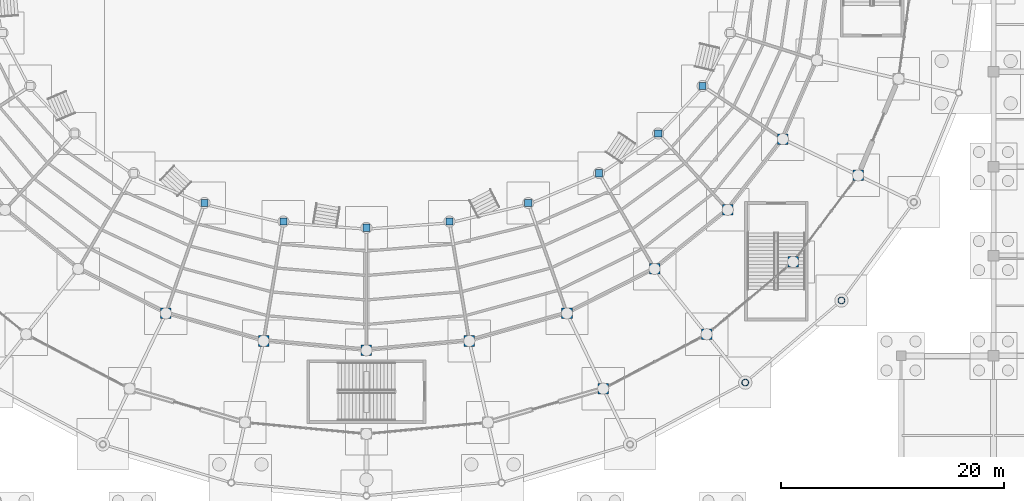
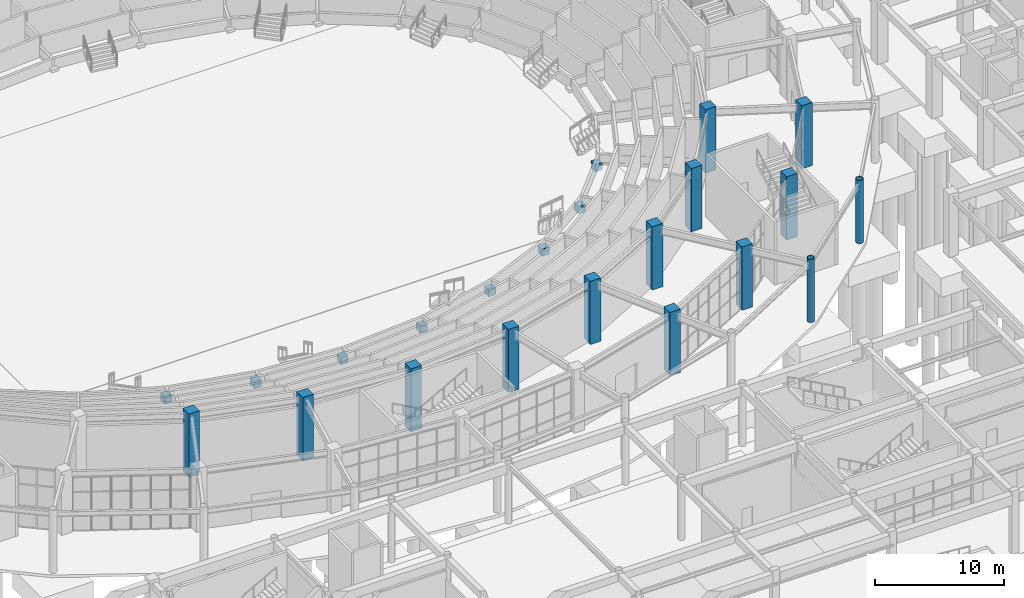
# One storey, part 13 of 121: 22 columns.
"""IFC4 building model written with IfcOpenShell, lengths in metres."""

import ifcopenshell
import ifcopenshell.guid

model = None  # the IFC model being written
_history = None  # IfcOwnerHistory: only IFC2X3 demands one
_inside = {}  # id of a spatial element -> (the spatial element, [elements in it])
_under = {}  # id of a project, library or spatial element -> (it, [spatial elements below it])
_declared = {}  # id of a project -> (the project, [libraries it declares])
_typed = {}  # id of a type object -> (the type object, [elements of that type])
_made_of = {}  # id of a material, layer set ... -> (it, [elements and type objects made of it])


def new_model(schema):
    """Start an empty IFC model of exactly this schema.

    Asked for "IFC4X3", IfcOpenShell would pick the latest addendum, in which some entities
    have other attributes; the version numbers below select the first issue.
    IFC2X3 requires an IfcOwnerHistory on every rooted entity: one is made here for all.
    """
    global model, _history
    if schema == "IFC4X3":
        model = ifcopenshell.file(schema_version=(4, 3, 0, 0))
    else:
        model = ifcopenshell.file(schema=schema)
    _inside.clear()
    _under.clear()
    _declared.clear()
    _typed.clear()
    _made_of.clear()
    _history = None
    if model.schema == "IFC2X3":
        org = make("IfcOrganization", Name="unknown")
        user = make(
            "IfcPersonAndOrganization",
            ThePerson=make("IfcPerson", FamilyName="unknown"),
            TheOrganization=org,
        )
        app = make(
            "IfcApplication",
            ApplicationDeveloper=org,
            Version="unknown",
            ApplicationFullName="unknown",
            ApplicationIdentifier="unknown",
        )
        _history = make(
            "IfcOwnerHistory",
            OwningUser=user,
            OwningApplication=app,
            ChangeAction="ADDED",
            CreationDate=0,
        )
    return model


def make(cls, **values):
    """One entity of the class cls with the attributes given. An attribute that is None is left unset."""
    return model.create_entity(
        cls, **{name: value for name, value in values.items() if value is not None}
    )


def rooted(cls, **values):
    """An entity with a GlobalId (a new one), such as an element, a storey or a relation."""
    return make(cls, GlobalId=ifcopenshell.guid.new(), OwnerHistory=_history, **values)


def si_unit(unit_type, name, prefix=None):
    """IfcSIUnit, for example si_unit("LENGTHUNIT", "METRE", prefix="MILLI")."""
    return make("IfcSIUnit", UnitType=unit_type, Prefix=prefix, Name=name)


def assignment(units):
    """IfcUnitAssignment: the units of a project."""
    return None if units is None else make("IfcUnitAssignment", Units=units)


def point(xyz):
    """IfcCartesianPoint."""
    return None if xyz is None else make("IfcCartesianPoint", Coordinates=xyz)


def direction(xyz):
    """IfcDirection."""
    return None if xyz is None else make("IfcDirection", DirectionRatios=xyz)


def frame(location, z_axis=None, x_axis=None):
    """IfcAxis2Placement3D, a coordinate frame: its origin and axes. An axis left out is left unset."""
    return make(
        "IfcAxis2Placement3D",
        Location=point(location),
        Axis=direction(z_axis),
        RefDirection=direction(x_axis),
    )


def frame_2d(location, x_axis=None):
    """IfcAxis2Placement2D, a coordinate frame in the plane: its origin and x axis."""
    return make(
        "IfcAxis2Placement2D", Location=point(location), RefDirection=direction(x_axis)
    )


def origin():
    """The frame at (0, 0, 0) with its axes left unset."""
    return frame((0.0, 0.0, 0.0))


def origin_2d():
    """The frame at (0, 0) in the plane with its x axis left unset."""
    return frame_2d((0.0, 0.0))


def place(relative_to, where):
    """IfcLocalPlacement: puts the frame where relative to a parent placement (None: the world)."""
    return make(
        "IfcLocalPlacement", PlacementRelTo=relative_to, RelativePlacement=where
    )


def context(
    kind, dimensions, precision=None, world=None, true_north=None, identifier=None
):
    """IfcGeometricRepresentationContext, for example the 3D "Model" context."""
    return make(
        "IfcGeometricRepresentationContext",
        ContextIdentifier=identifier,
        ContextType=kind,
        CoordinateSpaceDimension=dimensions,
        Precision=precision,
        WorldCoordinateSystem=world,
        TrueNorth=true_north,
    )


def subcontext(parent, identifier, kind, view, scale=None):
    """IfcGeometricRepresentationSubContext, for example "Body" below "Model"."""
    return make(
        "IfcGeometricRepresentationSubContext",
        ContextIdentifier=identifier,
        ContextType=kind,
        ParentContext=parent,
        TargetScale=scale,
        TargetView=view,
    )


def project(units=None, contexts=None):
    """IfcProject with its units and contexts."""
    return rooted(
        "IfcProject",
        Name="project",
        RepresentationContexts=contexts,
        UnitsInContext=assignment(units),
    )


def spatial(cls, under=None, at=None, **own):
    """A site, building, storey or space (cls), placed at a placement, below another one or the project."""
    s = rooted(cls, ObjectPlacement=at, **own)
    if under is not None:
        _under.setdefault(under.id(), (under, []))[1].append(s)
    return s


def profile(cls, at=None, kind="AREA", **sizes):
    """A parametric profile (cls). Its sizes go by their IFC names, for example OverallWidth=200.0."""
    return make(cls, ProfileType=kind, Position=at, **sizes)


def rectangle(**sizes):
    """IfcRectangleProfileDef."""
    return profile("IfcRectangleProfileDef", **sizes)


def hollow_circle(**sizes):
    """IfcCircleHollowProfileDef."""
    return profile("IfcCircleHollowProfileDef", **sizes)


def extrude(swept, where, along, depth):
    """IfcExtrudedAreaSolid: the profile swept, set in the frame where, extruded along a direction by depth."""
    return make(
        "IfcExtrudedAreaSolid",
        SweptArea=swept,
        Position=where,
        ExtrudedDirection=direction(along),
        Depth=depth,
    )


def shape(context_of_items, identifier, shape_type, items):
    """IfcShapeRepresentation: the items that make up one representation, for example the "Body"."""
    return make(
        "IfcShapeRepresentation",
        ContextOfItems=context_of_items,
        RepresentationIdentifier=identifier,
        RepresentationType=shape_type,
        Items=items,
    )


def material(Name=None, Category=None):
    """IfcMaterial."""
    return make("IfcMaterial", Name=Name, Category=Category)


def material_profile(
    of_material, cross_section, Name=None, Category=None, Priority=None
):
    """IfcMaterialProfile: a cross section and its material."""
    return make(
        "IfcMaterialProfile",
        Name=Name,
        Material=of_material,
        Profile=cross_section,
        Priority=Priority,
        Category=Category,
    )


def profile_set(profiles, Name=None, composite=None):
    """IfcMaterialProfileSet."""
    return make(
        "IfcMaterialProfileSet",
        Name=Name,
        MaterialProfiles=profiles,
        CompositeProfile=composite,
    )


def made_of(thing, what):
    """Note that an element or type object is made of a material, layer set ...; save() writes the relation."""
    if what is not None:
        _made_of.setdefault(what.id(), (what, []))[1].append(thing)
    return thing


def type_object(cls, material=None, **own):
    """A type object (cls), such as IfcWallType, which elements share."""
    return made_of(rooted(cls, **own), material)


def element(
    cls,
    number,
    at=None,
    inside=None,
    cuts=None,
    type_object=None,
    material=None,
    context=None,
    identifier="Body",
    shape_type=None,
    held_by="IfcProductDefinitionShape",
    body=None,
    shapes=None,
    **own,
):
    """One element of the class cls, such as IfcWall. Its Tag is "e" and its number.

    at: its placement. inside: the storey or other place that contains it. cuts: it is an
    opening in that element (IfcRelVoidsElement). A single representation is given by context,
    identifier, shape_type and body (its items); several are given by shapes. held_by: the class
    of the entity that holds the representations. save() writes the other relations.
    """
    e = rooted(cls, Tag="e%d" % number, ObjectPlacement=at, **own)
    if body is not None:
        shapes = [shape(context, identifier, shape_type, body)]
    if shapes is not None:
        e.Representation = make(held_by, Representations=shapes)
    if inside is not None:
        _inside.setdefault(inside.id(), (inside, []))[1].append(e)
    if cuts is not None:
        rooted(
            "IfcRelVoidsElement", RelatingBuildingElement=cuts, RelatedOpeningElement=e
        )
    if type_object is not None:
        _typed.setdefault(type_object.id(), (type_object, []))[1].append(e)
    return made_of(e, material)


def aggregate(whole, parts):
    """IfcRelAggregates: a whole, such as a stair, and the parts it consists of."""
    return rooted("IfcRelAggregates", RelatingObject=whole, RelatedObjects=parts)


def save(model, path):
    """Write the relations noted so far, then the file.

    IfcRelAggregates (storeys below a building ...), IfcRelContainedInSpatialStructure (elements
    in a storey), IfcRelDefinesByType, IfcRelAssociatesMaterial and IfcRelDeclares: one each for
    every whole, place, type object, material and project.
    """
    for whole, parts in _under.values():
        aggregate(whole, parts)
    for where, things in _inside.values():
        rooted(
            "IfcRelContainedInSpatialStructure",
            RelatedElements=things,
            RelatingStructure=where,
        )
    for kind, things in _typed.values():
        rooted("IfcRelDefinesByType", RelatedObjects=things, RelatingType=kind)
    for what, things in _made_of.values():
        rooted("IfcRelAssociatesMaterial", RelatedObjects=things, RelatingMaterial=what)
    for by, libraries in _declared.values():
        rooted("IfcRelDeclares", RelatingContext=by, RelatedDefinitions=libraries)
    model.write(path)


model = new_model("IFC4")

# Units and contexts
model_context = context("Model", 3, precision=1e-05, world=origin(), true_north=direction((0.0, 1.0)))
body_context = subcontext(model_context, "Body", "Model", "MODEL_VIEW")
ifc_project = project(units=[si_unit("LENGTHUNIT", "METRE"), si_unit("AREAUNIT", "SQUARE_METRE"), si_unit("VOLUMEUNIT", "CUBIC_METRE"), si_unit("PLANEANGLEUNIT", "RADIAN"), si_unit("MASSUNIT", "GRAM", prefix="KILO")], contexts=[model_context])

# Site, building, storey
site_placement = place(None, origin())
site = spatial("IfcSite", under=ifc_project, at=site_placement, CompositionType="ELEMENT")
building_placement = place(site_placement, origin())
building = spatial("IfcBuilding", under=site, at=building_placement, Name="Cuetzalor Civic Arena", CompositionType="ELEMENT")
storey_placement = place(building_placement, origin())
storey = spatial("IfcBuildingStorey", under=building, at=storey_placement, Name="L00", CompositionType="ELEMENT", Elevation=0.0)

# Columns
ifc_material_1 = material(Name="Concrete C40/50", Category="concrete")
ifc_material_profile_1 = material_profile(ifc_material_1, rectangle(XDim=0.64990234375, YDim=0.64990234375, at=origin_2d()), Name="RC 650x650")
ifc_profile_set_1 = profile_set([ifc_material_profile_1], Name="Concrete C40/50")
column_type_1 = type_object("IfcColumnType", Name="ConcreteColumn_650", PredefinedType="COLUMN", material=ifc_profile_set_1)
for number, where, z_axis, x_axis, name in (
    (1, (-14.53515625, -20.271728515625, -0.419921875), (0.0, 0.0, 1.0), (1.0, 0.0, 0.0), "Column V1-INR-20 L00"),
    (2, (-7.45458984375, -21.935791015625, -0.419921875), (0.0, 0.0, 1.0), (1.0, 0.0, 0.0), "Column V1-INR-21 L00"),
    (3, (0.0, -22.5, -0.419921875), (0.0, 0.0, 1.0), (1.0, 0.0, 0.0), "Column V1-INR-22 L00"),
    (4, (7.45458984375, -21.935791015625, -0.419921875), (0.0, 0.0, 1.0), (1.0, 0.0, 0.0), "Column V1-INR-23 L00"),
    (5, (14.53515625, -20.271728515625, -0.419921875), (0.0, 0.0, 1.0), (1.0, 0.0, 0.0), "Column V1-INR-24 L00"),
    (6, (20.886962890625, -17.59130859375, -0.419921875), (0.0, 0.0, 1.0), (1.0, 0.0, 0.0), "Column V1-INR-25 L00"),
    (7, (26.19140625, -14.028564453125, -0.419921875), (0.0, 0.0, 1.0), (1.0, 0.0, 0.0), "Column V1-INR-26 L00"),
    (8, (30.1826171875, -9.762451171875, -0.419921875), (0.0, 0.0, 1.0), (1.0, 0.0, 0.0), "Column V1-INR-27 L00"),
):
    element("IfcColumn", number, at=place(storey_placement, frame(where, z_axis=z_axis, x_axis=x_axis)), inside=storey, type_object=column_type_1, Name=name, PredefinedType="COLUMN", context=body_context, shape_type="SweptSolid", body=[
        extrude(rectangle(XDim=0.64990234375, YDim=0.64990234375, at=origin_2d()), origin(), (0.0, 0.0, 1.0), 0.68701171875),
    ])
ifc_material_2 = material(Name="Concrete C40/50", Category="concrete")
ifc_material_profile_2 = material_profile(ifc_material_2, rectangle(XDim=0.949951171875, YDim=0.949951171875, at=origin_2d()), Name="RC 950x950")
ifc_profile_set_2 = profile_set([ifc_material_profile_2], Name="Concrete C40/50")
column_type_2 = type_object("IfcColumnType", Name="ConcreteColumn_950", PredefinedType="COLUMN", material=ifc_profile_set_2)
for number, where, z_axis, x_axis, name in (
    (9, (-18.006103515625, -30.1826171875, 0.0), (0.0, 0.0, 1.0), (1.0, 0.0, 0.0), "Column V1-MID-20 L00"),
    (10, (-9.234619140625, -32.66015625, 0.0), (0.0, 0.0, 1.0), (1.0, 0.0, 0.0), "Column V1-MID-21 L00"),
    (11, (0.0, -33.5, 0.0), (0.0, 0.0, 1.0), (1.0, 0.0, 0.0), "Column V1-MID-22 L00"),
    (12, (9.234619140625, -32.66015625, 0.0), (0.0, 0.0, 1.0), (1.0, 0.0, 0.0), "Column V1-MID-23 L00"),
    (13, (21.26025390625, -36.939697265625, 0.0), (0.0, 0.0, 1.0), (1.0, 0.0, 0.0), "Column V1-REC-24 L00"),
    (14, (18.006103515625, -30.1826171875, 0.0), (0.0, 0.0, 1.0), (1.0, 0.0, 0.0), "Column V1-MID-24 L00"),
    (15, (30.551025390625, -32.05517578125, 0.0), (0.0, 0.0, 1.0), (1.0, 0.0, 0.0), "Column V1-REC-25 L00"),
    (16, (25.874755859375, -26.19140625, 0.0), (0.0, 0.0, 1.0), (1.0, 0.0, 0.0), "Column V1-MID-25 L00"),
    (17, (38.309814453125, -25.56298828125, 0.0), (0.0, 0.0, 1.0), (1.0, 0.0, 0.0), "Column V1-REC-26 L00"),
    (18, (32.446044921875, -20.886962890625, 0.0), (0.0, 0.0, 1.0), (1.0, 0.0, 0.0), "Column V1-MID-26 L00"),
    (19, (44.1474609375, -17.789306640625, 0.0), (0.0, 0.0, 1.0), (1.0, 0.0, 0.0), "Column V1-REC-27 L00"),
    (20, (37.39013671875, -14.53515625, 0.0), (0.0, 0.0, 1.0), (1.0, 0.0, 0.0), "Column V1-MID-27 L00"),
):
    element("IfcColumn", number, at=place(storey_placement, frame(where, z_axis=z_axis, x_axis=x_axis)), inside=storey, type_object=column_type_2, Name=name, PredefinedType="COLUMN", context=body_context, shape_type="SweptSolid", body=[
        extrude(rectangle(XDim=0.949951171875, YDim=0.949951171875, at=origin_2d()), origin(), (0.0, 0.0, 1.0), 6.0),
    ])
ifc_material_3 = material(Name="Steel S355", Category="steel")
ifc_material_profile_3 = material_profile(ifc_material_3, hollow_circle(Radius=0.304931640625, WallThickness=0.02490234375, at=origin_2d()), Name="CHS 610x25")
ifc_profile_set_3 = profile_set([ifc_material_profile_3], Name="Steel S355")
column_type_3 = type_object("IfcColumnType", Name="SteelDomePylon_CHS610", PredefinedType="COLUMN", material=ifc_profile_set_3)
for number, where, z_axis, x_axis, name in (
    (21, (34.011474609375, -36.394287109375, 0.0), (0.0, 0.0, 1.0), (1.0, 0.0, 0.0), "Column V1-PYL-25 L00"),
    (22, (42.64892578125, -29.0234375, 0.0), (0.0, 0.0, 1.0), (1.0, 0.0, 0.0), "Column V1-PYL-26 L00"),
):
    element("IfcColumn", number, at=place(storey_placement, frame(where, z_axis=z_axis, x_axis=x_axis)), inside=storey, type_object=column_type_3, Name=name, PredefinedType="COLUMN", context=body_context, shape_type="SweptSolid", body=[
        extrude(hollow_circle(Radius=0.304931640625, WallThickness=0.02490234375, at=origin_2d()), origin(), (0.0, 0.0, 1.0), 6.0),
    ])

save(model, "model.ifc")
